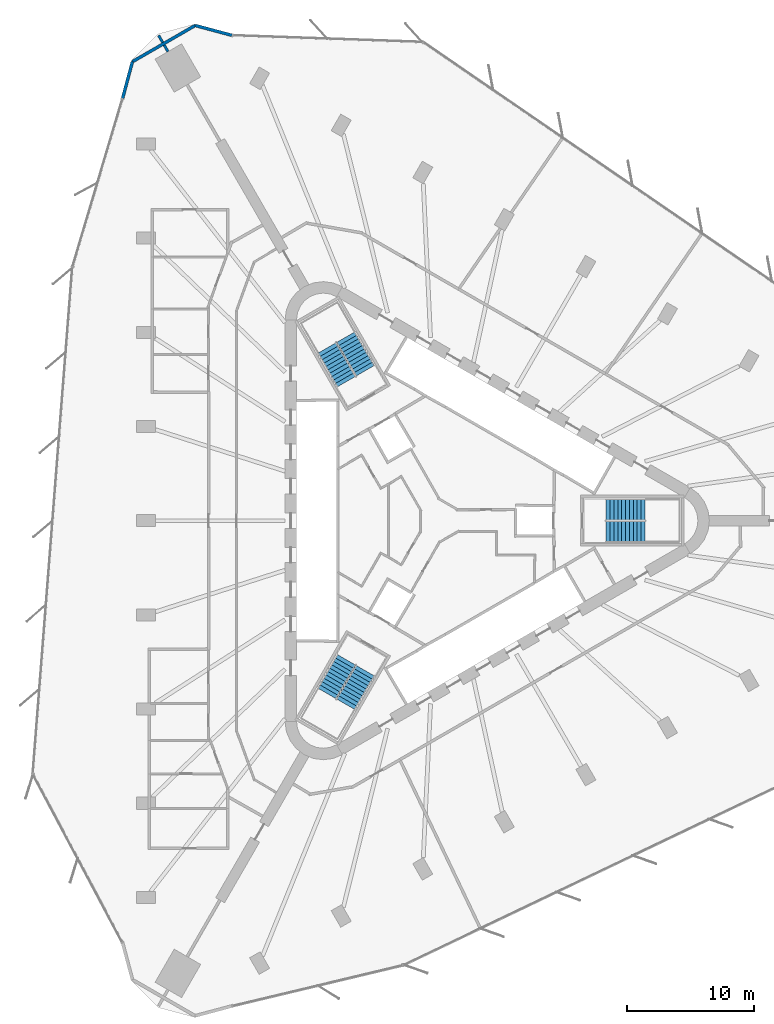
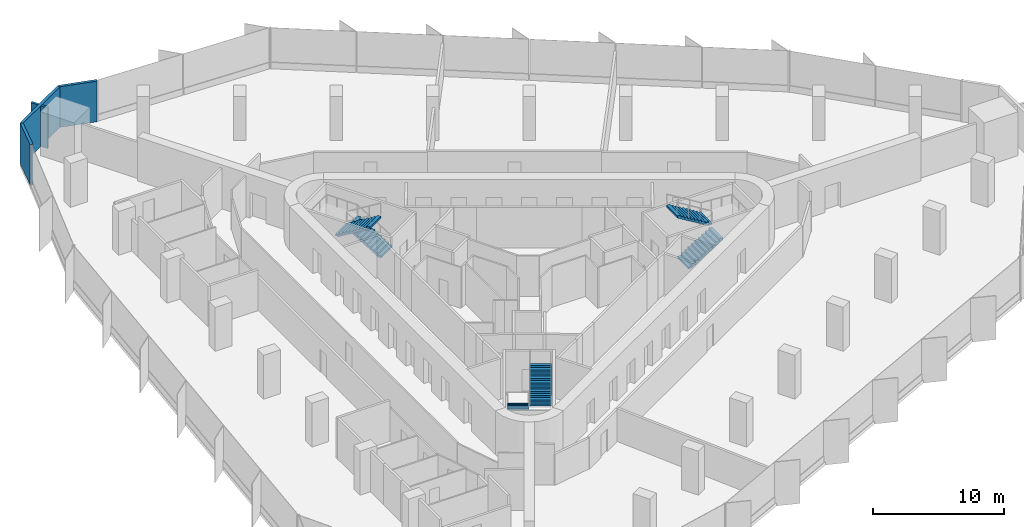
# One storey, part 14 of 15: 6 stair flights, 5 walls, 3 elements without a shape of their own.
"""IFC4 building model written with IfcOpenShell, lengths in metres."""

from ifc_helpers import new_model, si_unit, direction, frame, frame_2d, origin, place, context, subcontext, project, spatial, polyline, rectangle, outline, extrude, material, layer, layer_set, type_object, element, aggregate, save


model = new_model("IFC4")

# Units and contexts
model_context = context("Model", 3, precision=1e-05, world=origin(), true_north=direction((0.0, 1.0)))
body_context = subcontext(model_context, "Body", "Model", "MODEL_VIEW")
ifc_project = project(units=[si_unit("LENGTHUNIT", "METRE"), si_unit("AREAUNIT", "SQUARE_METRE"), si_unit("VOLUMEUNIT", "CUBIC_METRE"), si_unit("PLANEANGLEUNIT", "RADIAN"), si_unit("MASSUNIT", "GRAM", prefix="KILO")], contexts=[model_context])

# Site, building, storey
site_placement = place(None, origin())
site = spatial("IfcSite", under=ifc_project, at=site_placement, CompositionType="ELEMENT")
building_placement = place(site_placement, origin())
building = spatial("IfcBuilding", under=site, at=building_placement, Name="Tanit Gate Tower", CompositionType="ELEMENT")
storey_placement = place(building_placement, frame((0.0, 0.0, 98.800048828125)))
storey = spatial("IfcBuildingStorey", under=building, at=storey_placement, Name="L20", CompositionType="ELEMENT", Elevation=98.800048828125)

# Walls
ifc_material_1 = material(Name="Concrete C30/37 with bronze anodised aluminium cladding", Category="concrete")
ifc_layer_1 = layer(ifc_material_1, 0.239990234375)
ifc_layer_set_1 = layer_set([ifc_layer_1], Name="Facade wall bronze clad 240")
wall_type_1 = type_object("IfcWallType", Name="Facade wall bronze clad 240", PredefinedType="SOLIDWALL", material=ifc_layer_set_1)
wall_1_placement = place(storey_placement, frame((-16.26318359375, 38.09033203125, 0.0), z_axis=(0.0, 0.0, 1.0), x_axis=(-0.965934938286, 0.258785036271, 0.0)))
element("IfcWall", 1, at=wall_1_placement, inside=storey, type_object=wall_type_1, Name="Bronze-clad facade wall L20 NW.arc1", PredefinedType="SOLIDWALL", context=body_context, shape_type="SweptSolid", body=[
    extrude(rectangle(XDim=2.991455078125, YDim=0.239990234375, at=frame_2d((1.49560546875, 0.0))), origin(), (0.0, 0.0, 1.0), 3.800048828125),
])
wall_2_placement = place(storey_placement, frame((-19.15283203125, 38.864501953125, 0.0), z_axis=(0.0, 0.0, 1.0), x_axis=(-0.866024844342, -0.500000968981, 0.0)))
element("IfcWall", 2, at=wall_2_placement, inside=storey, type_object=wall_type_1, Name="Bronze-clad facade wall L20 NW.arc2", PredefinedType="SOLIDWALL", context=body_context, shape_type="SweptSolid", body=[
    extrude(rectangle(XDim=5.69091796875, YDim=0.239990234375, at=frame_2d((2.845458984375, 0.0))), origin(), (0.0, 0.0, 1.0), 3.800048828125),
])
wall_3_placement = place(storey_placement, frame((-24.081298828125, 36.01904296875, 0.0), z_axis=(0.0, 0.0, 1.0), x_axis=(-0.258830280341, -0.965922815746, 0.0)))
element("IfcWall", 3, at=wall_3_placement, inside=storey, type_object=wall_type_1, Name="Bronze-clad facade wall L20 NW.arc3", PredefinedType="SOLIDWALL", context=body_context, shape_type="SweptSolid", body=[
    extrude(rectangle(XDim=2.979736328125, YDim=0.239990234375, at=frame_2d((1.48974609375, 0.0))), origin(), (0.0, 0.0, 1.0), 3.800048828125),
])
ifc_material_2 = material(Name="Fire-rated gypsum board partition")
ifc_layer_2 = layer(ifc_material_2, 0.199951171875)
ifc_layer_set_2 = layer_set([ifc_layer_2], Name="INT-WALL-COMPARTMENT")
wall_type_2 = type_object("IfcWallType", Name="INT-WALL-COMPARTMENT", PredefinedType="PARTITIONING", material=ifc_layer_set_2)
wall_4_placement = place(storey_placement, frame((-21.286376953125, 36.80908203125, 0.0), z_axis=(0.0, 0.0, 1.0), x_axis=(-0.500078724409, 0.865979947454, 0.0)))
element("IfcWall", 4, at=wall_4_placement, inside=storey, type_object=wall_type_2, Name="Wall Compartment W116", PredefinedType="PARTITIONING", context=body_context, shape_type="SweptSolid", body=[
    extrude(rectangle(XDim=0.59326171875, YDim=0.199951171875, at=frame_2d((0.296630859375, 0.0))), origin(), (0.0, 0.0, 1.0), 3.800048828125),
])
wall_5_placement = place(storey_placement, frame((-21.703125, 37.53076171875, 0.0), z_axis=(0.0, 0.0, 1.0), x_axis=(-0.499988999718, 0.866031754707, 0.0)))
element("IfcWall", 5, at=wall_5_placement, inside=storey, type_object=wall_type_2, Name="Wall Compartment W116x1", PredefinedType="PARTITIONING", context=body_context, shape_type="SweptSolid", body=[
    extrude(rectangle(XDim=0.63427734375, YDim=0.199951171875, at=frame_2d((0.317138671875, 0.0))), origin(), (0.0, 0.0, 1.0), 3.800048828125),
])

# Stair, stair flights
ifc_material_3 = material(Name="Concrete C40/50", Category="concrete")
stair_type = type_object("IfcStairType", Name="INT-STAIR-EXIT", PredefinedType="HALF_TURN_STAIR", material=ifc_material_3)
stair_1_placement = place(storey_placement, origin())
stair_1 = element("IfcStair", 6, at=stair_1_placement, inside=storey, type_object=stair_type, Name="L20 STAIR S1", PredefinedType="HALF_TURN_STAIR")
ifc_material_4 = material(Name="Concrete C40/50", Category="concrete")
stair_flight_type = type_object("IfcStairFlightType", Name="INT-STAIR-FLIGHT", PredefinedType="STRAIGHT", material=ifc_material_4)
stair_flight_1_placement = place(storey_placement, frame((13.094970703125, -0.8525390625, 0.0), z_axis=(0.0, 0.0, 1.0), x_axis=(1.0, 0.0, 0.0)))
stair_flight_1 = element("IfcStairFlight", 7, at=stair_flight_1_placement, type_object=stair_flight_type, Name="S1 flight 1", NumberOfRisers=11, NumberOfTreads=10, PredefinedType="STRAIGHT", RiserHeight=0.186363636, TreadLength=0.3051, context=body_context, shape_type="SweptSolid", body=[
    extrude(outline(polyline([(0.0, 0.0), (0.0, 0.186279296875), (0.30517578125, 0.186279296875), (0.30517578125, 0.372802734375), (0.610107421875, 0.372802734375), (0.610107421875, 0.55908203125), (0.915283203125, 0.55908203125), (0.915283203125, 0.745361328125), (1.220458984375, 0.745361328125), (1.220458984375, 0.931884765625), (1.525390625, 0.931884765625), (1.525390625, 1.1181640625), (1.83056640625, 1.1181640625), (1.83056640625, 1.304443359375), (2.1357421875, 1.304443359375), (2.1357421875, 1.490966796875), (2.44091796875, 1.490966796875), (2.44091796875, 1.67724609375), (2.745849609375, 1.67724609375), (2.745849609375, 1.863525390625), (3.051025390625, 1.863525390625), (3.051025390625, 2.050048828125), (3.051025390625, 1.68798828125), (0.28759765625, 0.0), (0.0, 0.0)])), frame((0.0, 0.84765625, 0.0), z_axis=(0.0, -1.0, 0.0), x_axis=(1.0, 0.0, 0.0)), (0.0, 0.0, 1.0), 1.695068359375),
])
stair_flight_2_placement = place(storey_placement, frame((16.14599609375, 0.8525390625, 2.050048828125), z_axis=(0.0, 0.0, 1.0), x_axis=(-1.0, 0.0, 0.0)))
stair_flight_2 = element("IfcStairFlight", 8, at=stair_flight_2_placement, type_object=stair_flight_type, Name="S1 flight 2", NumberOfRisers=11, NumberOfTreads=10, PredefinedType="STRAIGHT", RiserHeight=0.186363636, TreadLength=0.3051, context=body_context, shape_type="SweptSolid", body=[
    extrude(outline(polyline([(0.0, 0.0), (0.0, 0.186279296875), (0.30517578125, 0.186279296875), (0.30517578125, 0.372802734375), (0.610107421875, 0.372802734375), (0.610107421875, 0.55908203125), (0.915283203125, 0.55908203125), (0.915283203125, 0.745361328125), (1.220458984375, 0.745361328125), (1.220458984375, 0.931884765625), (1.525390625, 0.931884765625), (1.525390625, 1.1181640625), (1.83056640625, 1.1181640625), (1.83056640625, 1.304443359375), (2.1357421875, 1.304443359375), (2.1357421875, 1.490966796875), (2.44091796875, 1.490966796875), (2.44091796875, 1.67724609375), (2.745849609375, 1.67724609375), (2.745849609375, 1.863525390625), (3.051025390625, 1.863525390625), (3.051025390625, 2.050048828125), (3.051025390625, 1.68798828125), (0.28759765625, 0.0), (0.0, 0.0)])), frame((0.0, 0.84765625, 0.0), z_axis=(0.0, -1.0, 0.0), x_axis=(1.0, 0.0, 0.0)), (0.0, 0.0, 1.0), 1.695068359375),
])
aggregate(stair_1, [stair_flight_1, stair_flight_2])

stair_2_placement = place(storey_placement, origin())
stair_2 = element("IfcStair", 9, at=stair_2_placement, inside=storey, type_object=stair_type, Name="L20 STAIR S2", PredefinedType="HALF_TURN_STAIR")
stair_flight_3_placement = place(storey_placement, frame((-5.808349609375, 11.766357421875, 0.0), z_axis=(0.0, 0.0, 1.0), x_axis=(-0.5, 0.866025403784, 0.0)))
stair_flight_3 = element("IfcStairFlight", 10, at=stair_flight_3_placement, type_object=stair_flight_type, Name="S2 flight 1", NumberOfRisers=11, NumberOfTreads=10, PredefinedType="STRAIGHT", RiserHeight=0.186363636, TreadLength=0.30492, context=body_context, shape_type="SweptSolid", body=[
    extrude(outline(polyline([(0.0, 0.0), (0.0, 0.186279296875), (0.304931640625, 0.186279296875), (0.304931640625, 0.372802734375), (0.60986328125, 0.372802734375), (0.60986328125, 0.55908203125), (0.914794921875, 0.55908203125), (0.914794921875, 0.745361328125), (1.2197265625, 0.745361328125), (1.2197265625, 0.931884765625), (1.524658203125, 0.931884765625), (1.524658203125, 1.1181640625), (1.82958984375, 1.1181640625), (1.82958984375, 1.304443359375), (2.134521484375, 1.304443359375), (2.134521484375, 1.490966796875), (2.439453125, 1.490966796875), (2.439453125, 1.67724609375), (2.744384765625, 1.67724609375), (2.744384765625, 1.863525390625), (3.04931640625, 1.863525390625), (3.04931640625, 2.050048828125), (3.04931640625, 1.68798828125), (0.287353515625, 0.0), (0.0, 0.0)])), frame((0.0, 0.84716796875, 0.0), z_axis=(0.0, -1.0, 0.0), x_axis=(1.0, 0.0, 0.0)), (0.0, 0.0, 1.0), 1.694091796875),
])
stair_flight_4_placement = place(storey_placement, frame((-8.810302734375, 13.553955078125, 2.050048828125), z_axis=(0.0, 0.0, 1.0), x_axis=(0.5, -0.866025403784, 0.0)))
stair_flight_4 = element("IfcStairFlight", 11, at=stair_flight_4_placement, type_object=stair_flight_type, Name="S2 flight 2", NumberOfRisers=11, NumberOfTreads=10, PredefinedType="STRAIGHT", RiserHeight=0.186363636, TreadLength=0.30492, context=body_context, shape_type="SweptSolid", body=[
    extrude(outline(polyline([(0.0, 0.0), (0.0, 0.186279296875), (0.304931640625, 0.186279296875), (0.304931640625, 0.372802734375), (0.60986328125, 0.372802734375), (0.60986328125, 0.55908203125), (0.914794921875, 0.55908203125), (0.914794921875, 0.745361328125), (1.2197265625, 0.745361328125), (1.2197265625, 0.931884765625), (1.524658203125, 0.931884765625), (1.524658203125, 1.1181640625), (1.82958984375, 1.1181640625), (1.82958984375, 1.304443359375), (2.134521484375, 1.304443359375), (2.134521484375, 1.490966796875), (2.439453125, 1.490966796875), (2.439453125, 1.67724609375), (2.744384765625, 1.67724609375), (2.744384765625, 1.863525390625), (3.04931640625, 1.863525390625), (3.04931640625, 2.050048828125), (3.04931640625, 1.68798828125), (0.287353515625, 0.0), (0.0, 0.0)])), frame((0.0, 0.84716796875, 0.0), z_axis=(0.0, -1.0, 0.0), x_axis=(1.0, 0.0, 0.0)), (0.0, 0.0, 1.0), 1.694091796875),
])
aggregate(stair_2, [stair_flight_3, stair_flight_4])

stair_3_placement = place(storey_placement, origin())
stair_3 = element("IfcStair", 12, at=stair_3_placement, inside=storey, type_object=stair_type, Name="L20 STAIR S3", PredefinedType="HALF_TURN_STAIR")
stair_flight_5_placement = place(storey_placement, frame((-7.285888671875, -10.914306640625, 0.0), z_axis=(0.0, 0.0, 1.0), x_axis=(-0.5, -0.866025403784, 0.0)))
stair_flight_5 = element("IfcStairFlight", 13, at=stair_flight_5_placement, type_object=stair_flight_type, Name="S3 flight 1", NumberOfRisers=11, NumberOfTreads=10, PredefinedType="STRAIGHT", RiserHeight=0.186363636, TreadLength=0.3051, context=body_context, shape_type="SweptSolid", body=[
    extrude(outline(polyline([(0.0, 0.0), (0.0, 0.186279296875), (0.30517578125, 0.186279296875), (0.30517578125, 0.372802734375), (0.610107421875, 0.372802734375), (0.610107421875, 0.55908203125), (0.915283203125, 0.55908203125), (0.915283203125, 0.745361328125), (1.220458984375, 0.745361328125), (1.220458984375, 0.931884765625), (1.525390625, 0.931884765625), (1.525390625, 1.1181640625), (1.83056640625, 1.1181640625), (1.83056640625, 1.304443359375), (2.1357421875, 1.304443359375), (2.1357421875, 1.490966796875), (2.44091796875, 1.490966796875), (2.44091796875, 1.67724609375), (2.745849609375, 1.67724609375), (2.745849609375, 1.863525390625), (3.051025390625, 1.863525390625), (3.051025390625, 2.050048828125), (3.051025390625, 1.68798828125), (0.28759765625, 0.0), (0.0, 0.0)])), frame((0.0, 0.84765625, 0.0), z_axis=(0.0, -1.0, 0.0), x_axis=(1.0, 0.0, 0.0)), (0.0, 0.0, 1.0), 1.695068359375),
])
stair_flight_6_placement = place(storey_placement, frame((-7.334716796875, -14.4091796875, 2.050048828125), z_axis=(0.0, 0.0, 1.0), x_axis=(0.5, 0.866025403784, 0.0)))
stair_flight_6 = element("IfcStairFlight", 14, at=stair_flight_6_placement, type_object=stair_flight_type, Name="S3 flight 2", NumberOfRisers=11, NumberOfTreads=10, PredefinedType="STRAIGHT", RiserHeight=0.186363636, TreadLength=0.3051, context=body_context, shape_type="SweptSolid", body=[
    extrude(outline(polyline([(0.0, 0.0), (0.0, 0.186279296875), (0.30517578125, 0.186279296875), (0.30517578125, 0.372802734375), (0.610107421875, 0.372802734375), (0.610107421875, 0.55908203125), (0.915283203125, 0.55908203125), (0.915283203125, 0.745361328125), (1.220458984375, 0.745361328125), (1.220458984375, 0.931884765625), (1.525390625, 0.931884765625), (1.525390625, 1.1181640625), (1.83056640625, 1.1181640625), (1.83056640625, 1.304443359375), (2.1357421875, 1.304443359375), (2.1357421875, 1.490966796875), (2.44091796875, 1.490966796875), (2.44091796875, 1.67724609375), (2.745849609375, 1.67724609375), (2.745849609375, 1.863525390625), (3.051025390625, 1.863525390625), (3.051025390625, 2.050048828125), (3.051025390625, 1.68798828125), (0.28759765625, 0.0), (0.0, 0.0)])), frame((0.0, 0.84765625, 0.0), z_axis=(0.0, -1.0, 0.0), x_axis=(1.0, 0.0, 0.0)), (0.0, 0.0, 1.0), 1.695068359375),
])
aggregate(stair_3, [stair_flight_5, stair_flight_6])

save(model, "model.ifc")
